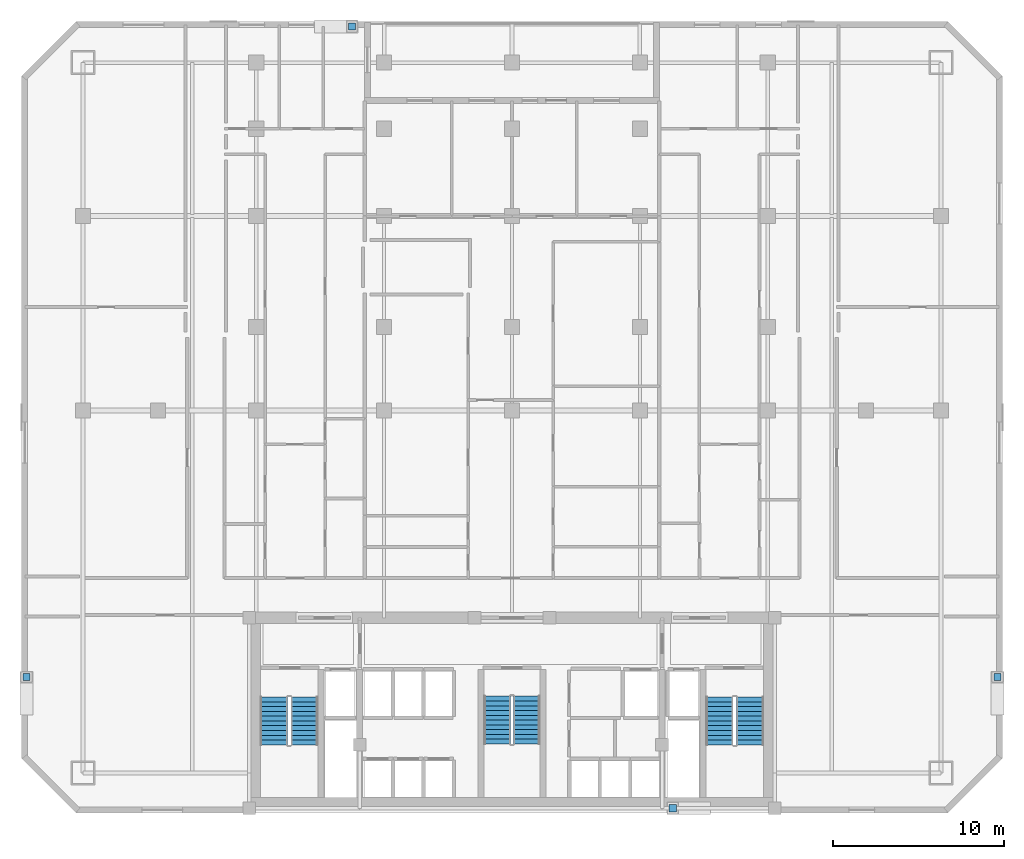
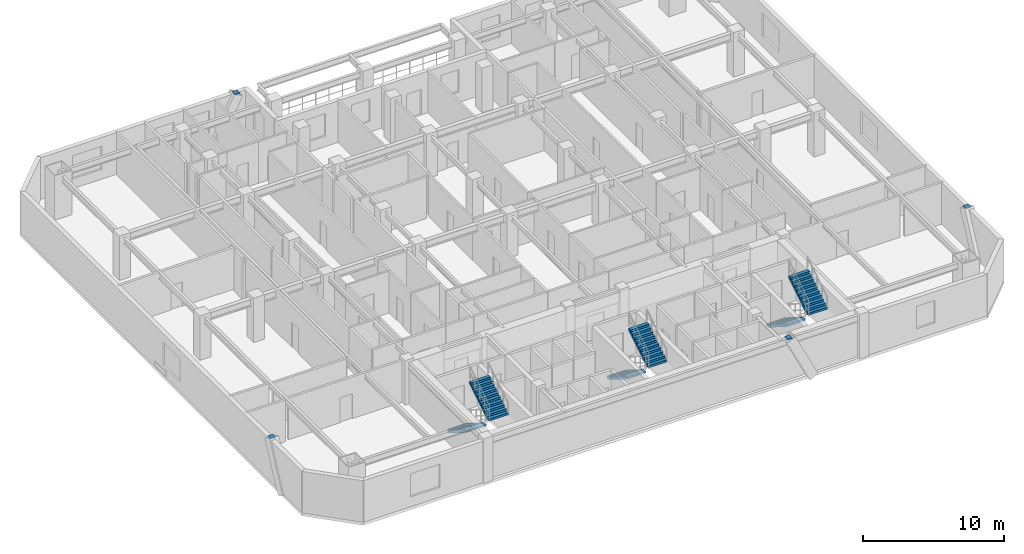
# One storey, part 8 of 9: 6 stair flights, 4 discrete accessories, 3 elements without a shape of their own.
"""IFC4 building model written with IfcOpenShell, lengths in metres."""

from ifc_helpers import new_model, si_unit, direction, frame, origin, origin_2d, place, context, subcontext, project, spatial, polyline, rectangle, outline, extrude, material, type_object, element, aggregate, save


model = new_model("IFC4")

# Units and contexts
model_context = context("Model", 3, precision=1e-05, world=origin(), true_north=direction((0.0, 1.0)))
body_context = subcontext(model_context, "Body", "Model", "MODEL_VIEW")
ifc_project = project(units=[si_unit("LENGTHUNIT", "METRE"), si_unit("AREAUNIT", "SQUARE_METRE"), si_unit("VOLUMEUNIT", "CUBIC_METRE"), si_unit("PLANEANGLEUNIT", "RADIAN"), si_unit("MASSUNIT", "GRAM", prefix="KILO")], contexts=[model_context])

# Site, building, storey
site_placement = place(None, origin())
site = spatial("IfcSite", under=ifc_project, at=site_placement, CompositionType="ELEMENT")
building_placement = place(site_placement, origin())
building = spatial("IfcBuilding", under=site, at=building_placement, Name="Ventersveld Concourse Tower", CompositionType="ELEMENT")
storey_placement = place(building_placement, frame((0.0, 0.0, 68.300048828125)))
storey = spatial("IfcBuildingStorey", under=building, at=storey_placement, Name="L16", CompositionType="ELEMENT", Elevation=68.300048828125)

# Stair, stair flights
ifc_material_1 = material(Name="Concrete C50/60", Category="concrete")
stair_type_1 = type_object("IfcStairType", Name="ST-DOG-155", PredefinedType="HALF_TURN_STAIR", material=ifc_material_1)
stair_1_placement = place(storey_placement, origin())
stair_1 = element("IfcStair", 1, at=stair_1_placement, inside=storey, type_object=stair_type_1, Name="L16 Protected Central Core Escape Stair ST-03", PredefinedType="HALF_TURN_STAIR")
stair_flight_type_1 = type_object("IfcStairFlightType", Name="STF-RC-155", PredefinedType="STRAIGHT", material=ifc_material_1)
stair_flight_1_placement = place(storey_placement, frame((27.875, 6.85009765625, 0.0), z_axis=(0.0, 0.0, 1.0), x_axis=(0.0, -1.0, 0.0)))
stair_flight_1 = element("IfcStairFlight", 2, at=stair_flight_1_placement, type_object=stair_flight_type_1, Name="ST-03 flight 1", NumberOfRisers=11, NumberOfTreads=10, PredefinedType="STRAIGHT", RiserHeight=0.175, TreadLength=0.28, context=body_context, shape_type="SweptSolid", body=[
    extrude(outline(polyline([(0.0, 0.0), (0.0, 0.175048828125), (0.280029296875, 0.175048828125), (0.280029296875, 0.35009765625), (0.56005859375, 0.35009765625), (0.56005859375, 0.52490234375), (0.840087890625, 0.52490234375), (0.840087890625, 0.699951171875), (1.1201171875, 0.699951171875), (1.1201171875, 0.875), (1.39990234375, 0.875), (1.39990234375, 1.050048828125), (1.679931640625, 1.050048828125), (1.679931640625, 1.22509765625), (1.9599609375, 1.22509765625), (1.9599609375, 1.39990234375), (2.239990234375, 1.39990234375), (2.239990234375, 1.574951171875), (2.52001953125, 1.574951171875), (2.52001953125, 1.75), (2.800048828125, 1.75), (2.800048828125, 1.925048828125), (2.800048828125, 1.5732421875), (0.28271484375, 0.0), (0.0, 0.0)])), frame((0.0, 0.77490234375, 0.0), z_axis=(0.0, -1.0, 0.0), x_axis=(1.0, 0.0, 0.0)), (0.0, 0.0, 1.0), 1.550048828125),
])
stair_flight_2_placement = place(storey_placement, frame((29.625, 4.050048828125, 1.925048828125), z_axis=(0.0, 0.0, 1.0), x_axis=(0.0, 1.0, 0.0)))
stair_flight_2 = element("IfcStairFlight", 3, at=stair_flight_2_placement, type_object=stair_flight_type_1, Name="ST-03 flight 2", NumberOfRisers=11, NumberOfTreads=10, PredefinedType="STRAIGHT", RiserHeight=0.175, TreadLength=0.28, context=body_context, shape_type="SweptSolid", body=[
    extrude(outline(polyline([(0.0, 0.0), (0.0, 0.175048828125), (0.280029296875, 0.175048828125), (0.280029296875, 0.35009765625), (0.56005859375, 0.35009765625), (0.56005859375, 0.52490234375), (0.840087890625, 0.52490234375), (0.840087890625, 0.699951171875), (1.1201171875, 0.699951171875), (1.1201171875, 0.875), (1.39990234375, 0.875), (1.39990234375, 1.050048828125), (1.679931640625, 1.050048828125), (1.679931640625, 1.22509765625), (1.9599609375, 1.22509765625), (1.9599609375, 1.39990234375), (2.239990234375, 1.39990234375), (2.239990234375, 1.574951171875), (2.52001953125, 1.574951171875), (2.52001953125, 1.75), (2.800048828125, 1.75), (2.800048828125, 1.925048828125), (2.800048828125, 1.5732421875), (0.28271484375, 0.0), (0.0, 0.0)])), frame((0.0, 0.77490234375, 0.0), z_axis=(0.0, -1.0, 0.0), x_axis=(1.0, 0.0, 0.0)), (0.0, 0.0, 1.0), 1.550048828125),
])
aggregate(stair_1, [stair_flight_1, stair_flight_2])

stair_type_2 = type_object("IfcStairType", Name="ST-DOG-160", PredefinedType="HALF_TURN_STAIR", material=ifc_material_1)
stair_2_placement = place(storey_placement, origin())
stair_2 = element("IfcStair", 4, at=stair_2_placement, inside=storey, type_object=stair_type_2, Name="L16 Protected Tower Escape Stair ST-01", PredefinedType="HALF_TURN_STAIR")
stair_flight_type_2 = type_object("IfcStairFlightType", Name="STF-RC-160", PredefinedType="STRAIGHT", material=ifc_material_1)
stair_flight_3_placement = place(storey_placement, frame((14.780029296875, 6.800048828125, 0.0), z_axis=(0.0, 0.0, 1.0), x_axis=(0.0, -1.0, 0.0)))
stair_flight_3 = element("IfcStairFlight", 5, at=stair_flight_3_placement, type_object=stair_flight_type_2, Name="ST-01 flight 1", NumberOfRisers=11, NumberOfTreads=10, PredefinedType="STRAIGHT", RiserHeight=0.175, TreadLength=0.28, context=body_context, shape_type="SweptSolid", body=[
    extrude(outline(polyline([(0.0, 0.0), (0.0, 0.175048828125), (0.280029296875, 0.175048828125), (0.280029296875, 0.35009765625), (0.56005859375, 0.35009765625), (0.56005859375, 0.52490234375), (0.840087890625, 0.52490234375), (0.840087890625, 0.699951171875), (1.1201171875, 0.699951171875), (1.1201171875, 0.875), (1.39990234375, 0.875), (1.39990234375, 1.050048828125), (1.679931640625, 1.050048828125), (1.679931640625, 1.22509765625), (1.9599609375, 1.22509765625), (1.9599609375, 1.39990234375), (2.239990234375, 1.39990234375), (2.239990234375, 1.574951171875), (2.52001953125, 1.574951171875), (2.52001953125, 1.75), (2.800048828125, 1.75), (2.800048828125, 1.925048828125), (2.800048828125, 1.5732421875), (0.28271484375, 0.0), (0.0, 0.0)])), frame((0.0, 0.800048828125, 0.0), z_axis=(0.0, -1.0, 0.0), x_axis=(1.0, 0.0, 0.0)), (0.0, 0.0, 1.0), 1.60009765625),
])
stair_flight_4_placement = place(storey_placement, frame((16.580078125, 4.0, 1.925048828125), z_axis=(0.0, 0.0, 1.0), x_axis=(0.0, 1.0, 0.0)))
stair_flight_4 = element("IfcStairFlight", 6, at=stair_flight_4_placement, type_object=stair_flight_type_2, Name="ST-01 flight 2", NumberOfRisers=11, NumberOfTreads=10, PredefinedType="STRAIGHT", RiserHeight=0.175, TreadLength=0.28, context=body_context, shape_type="SweptSolid", body=[
    extrude(outline(polyline([(0.0, 0.0), (0.0, 0.175048828125), (0.280029296875, 0.175048828125), (0.280029296875, 0.35009765625), (0.56005859375, 0.35009765625), (0.56005859375, 0.52490234375), (0.840087890625, 0.52490234375), (0.840087890625, 0.699951171875), (1.1201171875, 0.699951171875), (1.1201171875, 0.875), (1.39990234375, 0.875), (1.39990234375, 1.050048828125), (1.679931640625, 1.050048828125), (1.679931640625, 1.22509765625), (1.9599609375, 1.22509765625), (1.9599609375, 1.39990234375), (2.239990234375, 1.39990234375), (2.239990234375, 1.574951171875), (2.52001953125, 1.574951171875), (2.52001953125, 1.75), (2.800048828125, 1.75), (2.800048828125, 1.925048828125), (2.800048828125, 1.5732421875), (0.28271484375, 0.0), (0.0, 0.0)])), frame((0.0, 0.800048828125, 0.0), z_axis=(0.0, -1.0, 0.0), x_axis=(1.0, 0.0, 0.0)), (0.0, 0.0, 1.0), 1.60009765625),
])
aggregate(stair_2, [stair_flight_3, stair_flight_4])

stair_3_placement = place(storey_placement, origin())
stair_3 = element("IfcStair", 7, at=stair_3_placement, inside=storey, type_object=stair_type_2, Name="L16 Protected Tower Escape Stair ST-02", PredefinedType="HALF_TURN_STAIR")
stair_flight_5_placement = place(storey_placement, frame((40.919921875, 6.800048828125, 0.0), z_axis=(0.0, 0.0, 1.0), x_axis=(0.0, -1.0, 0.0)))
stair_flight_5 = element("IfcStairFlight", 8, at=stair_flight_5_placement, type_object=stair_flight_type_2, Name="ST-02 flight 1", NumberOfRisers=11, NumberOfTreads=10, PredefinedType="STRAIGHT", RiserHeight=0.175, TreadLength=0.28, context=body_context, shape_type="SweptSolid", body=[
    extrude(outline(polyline([(0.0, 0.0), (0.0, 0.175048828125), (0.280029296875, 0.175048828125), (0.280029296875, 0.35009765625), (0.56005859375, 0.35009765625), (0.56005859375, 0.52490234375), (0.840087890625, 0.52490234375), (0.840087890625, 0.699951171875), (1.1201171875, 0.699951171875), (1.1201171875, 0.875), (1.39990234375, 0.875), (1.39990234375, 1.050048828125), (1.679931640625, 1.050048828125), (1.679931640625, 1.22509765625), (1.9599609375, 1.22509765625), (1.9599609375, 1.39990234375), (2.239990234375, 1.39990234375), (2.239990234375, 1.574951171875), (2.52001953125, 1.574951171875), (2.52001953125, 1.75), (2.800048828125, 1.75), (2.800048828125, 1.925048828125), (2.800048828125, 1.5732421875), (0.28271484375, 0.0), (0.0, 0.0)])), frame((0.0, 0.800048828125, 0.0), z_axis=(0.0, -1.0, 0.0), x_axis=(1.0, 0.0, 0.0)), (0.0, 0.0, 1.0), 1.60009765625),
])
stair_flight_6_placement = place(storey_placement, frame((42.719970703125, 4.0, 1.925048828125), z_axis=(0.0, 0.0, 1.0), x_axis=(0.0, 1.0, 0.0)))
stair_flight_6 = element("IfcStairFlight", 9, at=stair_flight_6_placement, type_object=stair_flight_type_2, Name="ST-02 flight 2", NumberOfRisers=11, NumberOfTreads=10, PredefinedType="STRAIGHT", RiserHeight=0.175, TreadLength=0.28, context=body_context, shape_type="SweptSolid", body=[
    extrude(outline(polyline([(0.0, 0.0), (0.0, 0.175048828125), (0.280029296875, 0.175048828125), (0.280029296875, 0.35009765625), (0.56005859375, 0.35009765625), (0.56005859375, 0.52490234375), (0.840087890625, 0.52490234375), (0.840087890625, 0.699951171875), (1.1201171875, 0.699951171875), (1.1201171875, 0.875), (1.39990234375, 0.875), (1.39990234375, 1.050048828125), (1.679931640625, 1.050048828125), (1.679931640625, 1.22509765625), (1.9599609375, 1.22509765625), (1.9599609375, 1.39990234375), (2.239990234375, 1.39990234375), (2.239990234375, 1.574951171875), (2.52001953125, 1.574951171875), (2.52001953125, 1.75), (2.800048828125, 1.75), (2.800048828125, 1.925048828125), (2.800048828125, 1.5732421875), (0.28271484375, 0.0), (0.0, 0.0)])), frame((0.0, 0.800048828125, 0.0), z_axis=(0.0, -1.0, 0.0), x_axis=(1.0, 0.0, 0.0)), (0.0, 0.0, 1.0), 1.60009765625),
])
aggregate(stair_3, [stair_flight_5, stair_flight_6])

# Discrete accessories
ifc_material_2 = material(Name="Structural steel S355J2", Category="steel")
discrete_accessory_type = type_object("IfcDiscreteAccessoryType", Name="CONN-BRACE-ECP1", PredefinedType="BRACKET", material=ifc_material_2)
for number, where, z_axis, x_axis, name in (
    (10, (19.375, 46.1201171875, 3.579833984375), (0.0, 0.0, 1.0), (1.0, 0.0, 0.0), "L16 Steel Brace End Connection Plate ECP1-0235"),
    (11, (38.175048828125, 0.280029296875, 3.579833984375), (0.0, 0.0, 1.0), (1.0, 0.0, 0.0), "L16 Steel Brace End Connection Plate ECP1-0239"),
    (12, (0.280029296875, 7.97509765625, 3.579833984375), (0.0, 0.0, 1.0), (1.0, 0.0, 0.0), "L16 Steel Brace End Connection Plate ECP1-0243"),
    (13, (57.219970703125, 7.97509765625, 3.579833984375), (0.0, 0.0, 1.0), (1.0, 0.0, 0.0), "L16 Steel Brace End Connection Plate ECP1-0247"),
):
    element("IfcDiscreteAccessory", number, at=place(storey_placement, frame(where, z_axis=z_axis, x_axis=x_axis)), inside=storey, type_object=discrete_accessory_type, Name=name, PredefinedType="BRACKET", context=body_context, shape_type="SweptSolid", body=[
        extrude(rectangle(XDim=0.419921875, YDim=0.419921875, at=origin_2d()), origin(), (0.0, 0.0, 1.0), 0.0400390625),
    ])

save(model, "model.ifc")
